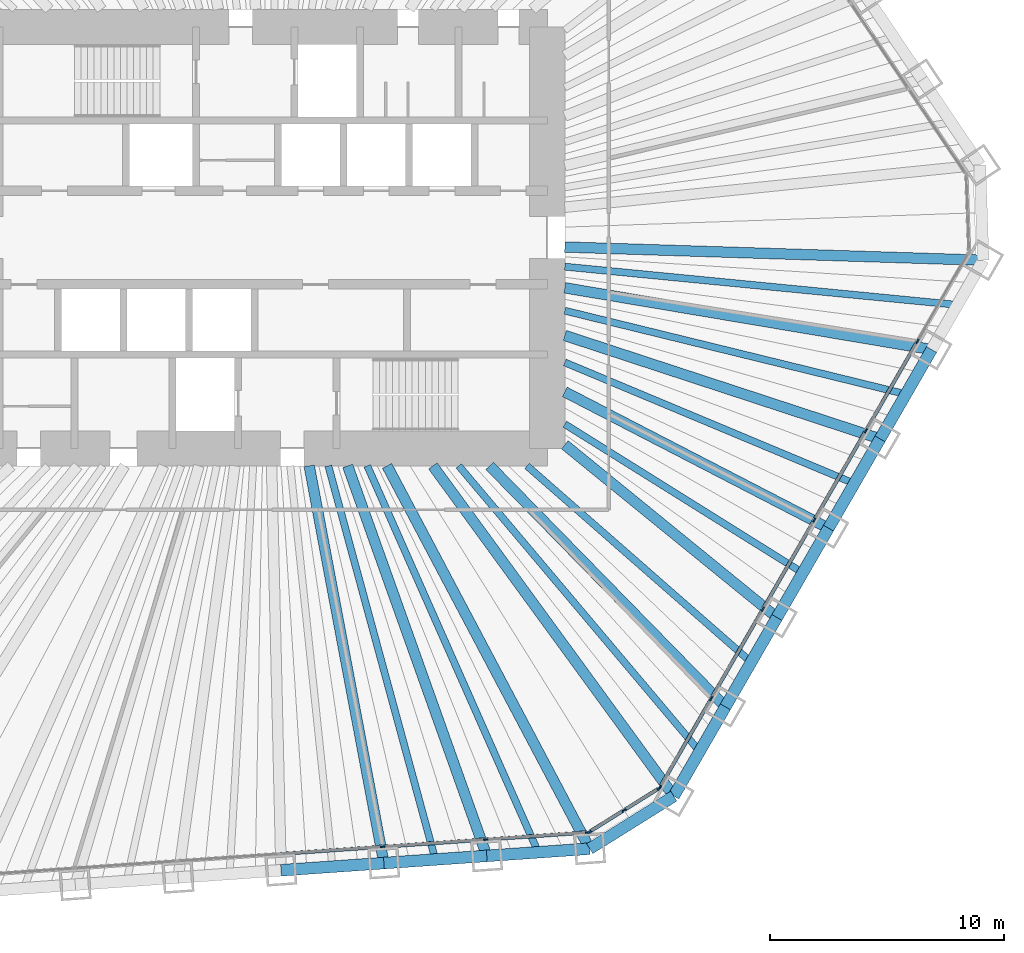
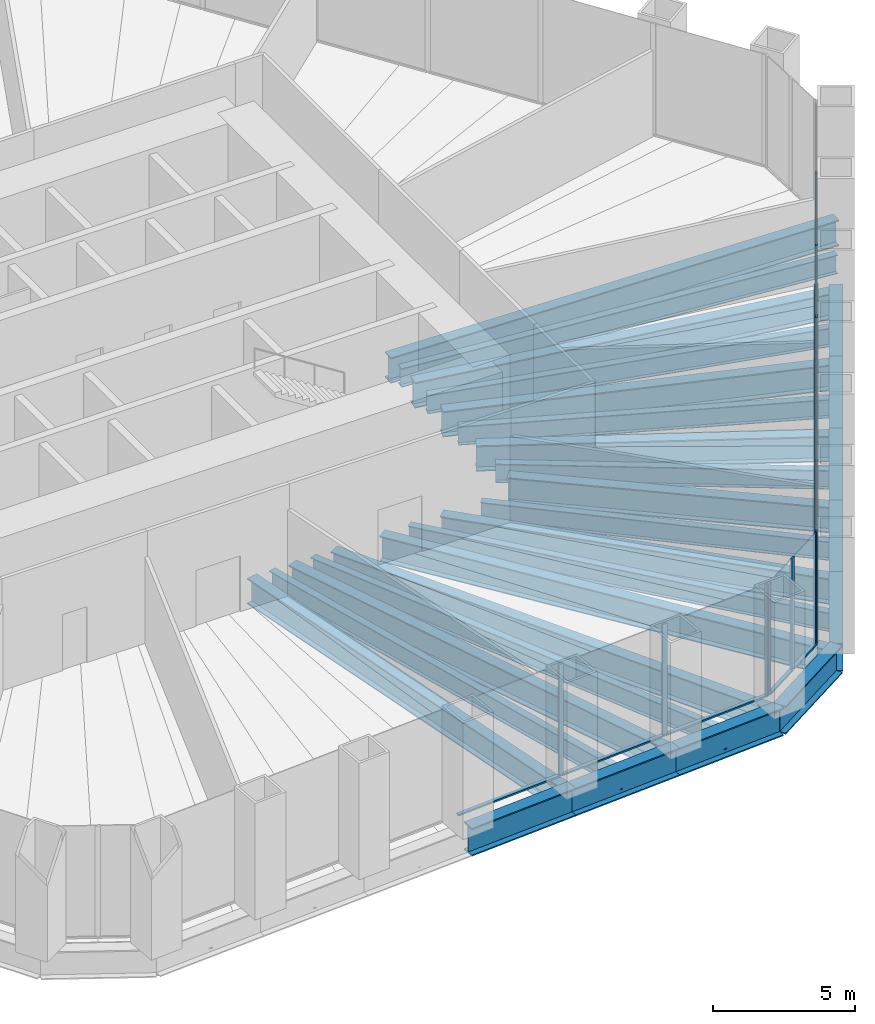
# One storey, part 4 of 13: 27 beams, 22 members, 3 elements without a shape of their own.
"""IFC4 building model written with IfcOpenShell, lengths in metres."""

from ifc_helpers import new_model, si_unit, direction, frame, origin, origin_2d, place, context, subcontext, project, spatial, rectangle, i_section, extrude, material, material_profile, profile_set, type_object, element, aggregate, save


model = new_model("IFC4")

# Units and contexts
model_context = context("Model", 3, precision=1e-05, world=origin(), true_north=direction((0.0, 1.0)))
body_context = subcontext(model_context, "Body", "Model", "MODEL_VIEW")
ifc_project = project(units=[si_unit("LENGTHUNIT", "METRE"), si_unit("AREAUNIT", "SQUARE_METRE"), si_unit("VOLUMEUNIT", "CUBIC_METRE"), si_unit("PLANEANGLEUNIT", "RADIAN"), si_unit("MASSUNIT", "GRAM", prefix="KILO")], contexts=[model_context])

# Site, building, storey
site_placement = place(None, origin())
site = spatial("IfcSite", under=ifc_project, at=site_placement, CompositionType="ELEMENT")
building_placement = place(site_placement, origin())
building = spatial("IfcBuilding", under=site, at=building_placement, Name="Qingtian Harvest Tower", CompositionType="ELEMENT")
storey_placement = place(building_placement, frame((0.0, 0.0, 77.0)))
storey = spatial("IfcBuildingStorey", under=building, at=storey_placement, Name="L15", CompositionType="ELEMENT", Elevation=77.0)

# Beams
ifc_material_1 = material(Name="Steel SM570MC", Category="steel")
ifc_material_profile_1 = material_profile(ifc_material_1, i_section(OverallWidth=0.449951171875, OverallDepth=1.10009765625, WebThickness=0.02197265625, FlangeThickness=0.044921875, at=origin_2d()), Name="H1100x450x22x45")
ifc_profile_set_1 = profile_set([ifc_material_profile_1], Name="Steel SM570MC")
beam_type_1 = type_object("IfcBeamType", Name="Corner floor beam FB8 H1100x450x22x45", PredefinedType="BEAM", material=ifc_profile_set_1)
beam_1_placement = place(storey_placement, frame((30.618408203125, -0.96728515625, -0.75), z_axis=(-0.999501426546, 0.031573696842, 0.0), x_axis=(-0.031573696842, -0.999501426546, 0.0)))
element("IfcBeam", 1, at=beam_1_placement, inside=storey, type_object=beam_type_1, Name="Floor beam FB8 SE0", PredefinedType="BEAM", context=body_context, shape_type="SweptSolid", body=[
    extrude(i_section(OverallWidth=0.449951171875, OverallDepth=1.10009765625, WebThickness=0.02197265625, FlangeThickness=0.044921875, at=origin_2d()), origin(), (0.0, 0.0, 1.0), 17.87744140625),
])
beam_2_placement = place(storey_placement, frame((17.404541015625, -23.854248046875, -0.75), z_axis=(-0.58941234871, 0.807832336062, 0.0), x_axis=(-0.807832336062, -0.58941234871, 0.0)))
element("IfcBeam", 2, at=beam_2_placement, inside=storey, type_object=beam_type_1, Name="Floor beam FB8 SE6", PredefinedType="BEAM", context=body_context, shape_type="SweptSolid", body=[
    extrude(i_section(OverallWidth=0.449951171875, OverallDepth=1.10009765625, WebThickness=0.02197265625, FlangeThickness=0.044921875, at=origin_2d()), origin(), (0.0, 0.0, 1.0), 17.45947265625),
])
beam_3_placement = place(storey_placement, frame((13.810546875, -26.10009765625, -0.75), z_axis=(-0.467705182679, 0.883884529843, 0.0), x_axis=(-0.883884529843, -0.467705182679, 0.0)))
element("IfcBeam", 3, at=beam_3_placement, inside=storey, type_object=beam_type_1, Name="Floor beam FB8 S0", PredefinedType="BEAM", context=body_context, shape_type="SweptSolid", body=[
    extrude(i_section(OverallWidth=0.449951171875, OverallDepth=1.10009765625, WebThickness=0.02197265625, FlangeThickness=0.044921875, at=origin_2d()), origin(), (0.0, 0.0, 1.0), 18.498046875),
])
ifc_material_2 = material(Name="Steel SM570MC", Category="steel")
ifc_material_profile_2 = material_profile(ifc_material_2, i_section(OverallWidth=0.449951171875, OverallDepth=1.10009765625, WebThickness=0.02197265625, FlangeThickness=0.044921875, at=origin_2d()), Name="H1100x450x22x45")
ifc_profile_set_2 = profile_set([ifc_material_profile_2], Name="Steel SM570MC")
beam_type_2 = type_object("IfcBeamType", Name="Floor beam FB1 H1100x450x22x45", PredefinedType="BEAM", material=ifc_profile_set_2)
beam_4_placement = place(storey_placement, frame((28.416015625, -4.78173828125, -0.75), z_axis=(-0.986135195489, 0.16594389479, 0.0), x_axis=(-0.16594389479, -0.986135195489, 0.0)))
element("IfcBeam", 4, at=beam_4_placement, inside=storey, type_object=beam_type_2, Name="Floor beam FB1 SE1", PredefinedType="BEAM", context=body_context, shape_type="SweptSolid", body=[
    extrude(i_section(OverallWidth=0.449951171875, OverallDepth=1.10009765625, WebThickness=0.02197265625, FlangeThickness=0.044921875, at=origin_2d()), origin(), (0.0, 0.0, 1.0), 15.88623046875),
])
beam_5_placement = place(storey_placement, frame((26.2138671875, -8.596435546875, -0.75), z_axis=(-0.950210724421, 0.311608053803, 0.0), x_axis=(-0.311608053803, -0.950210724421, 0.0)))
element("IfcBeam", 5, at=beam_5_placement, inside=storey, type_object=beam_type_2, Name="Floor beam FB1 SE2", PredefinedType="BEAM", context=body_context, shape_type="SweptSolid", body=[
    extrude(i_section(OverallWidth=0.449951171875, OverallDepth=1.10009765625, WebThickness=0.02197265625, FlangeThickness=0.044921875, at=origin_2d()), origin(), (0.0, 0.0, 1.0), 14.16943359375),
])
beam_6_placement = place(storey_placement, frame((24.011474609375, -12.410888671875, -0.75), z_axis=(-0.888349581519, 0.45916774823, 0.0), x_axis=(-0.45916774823, -0.888349581519, 0.0)))
element("IfcBeam", 6, at=beam_6_placement, inside=storey, type_object=beam_type_2, Name="Floor beam FB1 SE3", PredefinedType="BEAM", context=body_context, shape_type="SweptSolid", body=[
    extrude(i_section(OverallWidth=0.449951171875, OverallDepth=1.10009765625, WebThickness=0.02197265625, FlangeThickness=0.044921875, at=origin_2d()), origin(), (0.0, 0.0, 1.0), 12.6767578125),
])
beam_7_placement = place(storey_placement, frame((21.809326171875, -16.225341796875, -0.75), z_axis=(-0.775504415669, 0.631342142802, 0.0), x_axis=(-0.631342142802, -0.775504415669, 0.0)))
element("IfcBeam", 7, at=beam_7_placement, inside=storey, type_object=beam_type_2, Name="Floor beam FB1 SE4", PredefinedType="BEAM", context=body_context, shape_type="SweptSolid", body=[
    extrude(i_section(OverallWidth=0.449951171875, OverallDepth=1.10009765625, WebThickness=0.02197265625, FlangeThickness=0.044921875, at=origin_2d()), origin(), (0.0, 0.0, 1.0), 11.681884765625),
])
beam_8_placement = place(storey_placement, frame((19.60693359375, -20.039794921875, -0.75), z_axis=(-0.699348221539, 0.714781130858, 0.0), x_axis=(-0.714781130858, -0.699348221539, 0.0)))
element("IfcBeam", 8, at=beam_8_placement, inside=storey, type_object=beam_type_2, Name="Floor beam FB1 SE5", PredefinedType="BEAM", context=body_context, shape_type="SweptSolid", body=[
    extrude(i_section(OverallWidth=0.449951171875, OverallDepth=1.10009765625, WebThickness=0.02197265625, FlangeThickness=0.044921875, at=origin_2d()), origin(), (0.0, 0.0, 1.0), 14.395751953125),
])
beam_9_placement = place(storey_placement, frame((9.41650390625, -26.407470703125, -0.75), z_axis=(-0.33586498155, 0.941910141239, 0.0), x_axis=(-0.941910141239, -0.33586498155, 0.0)))
element("IfcBeam", 9, at=beam_9_placement, inside=storey, type_object=beam_type_2, Name="Floor beam FB1 S1", PredefinedType="BEAM", context=body_context, shape_type="SweptSolid", body=[
    extrude(i_section(OverallWidth=0.449951171875, OverallDepth=1.10009765625, WebThickness=0.02197265625, FlangeThickness=0.044921875, at=origin_2d()), origin(), (0.0, 0.0, 1.0), 17.684814453125),
])
beam_10_placement = place(storey_placement, frame((5.022705078125, -26.714599609375, -0.75), z_axis=(-0.184782942099, 0.98277935688, 0.0), x_axis=(-0.98277935688, -0.184782942099, 0.0)))
element("IfcBeam", 10, at=beam_10_placement, inside=storey, type_object=beam_type_2, Name="Floor beam FB1 S2", PredefinedType="BEAM", context=body_context, shape_type="SweptSolid", body=[
    extrude(i_section(OverallWidth=0.449951171875, OverallDepth=1.10009765625, WebThickness=0.02197265625, FlangeThickness=0.044921875, at=origin_2d()), origin(), (0.0, 0.0, 1.0), 17.261962890625),
])
ifc_material_3 = material(Name="Steel SN490B", Category="steel")
ifc_material_profile_3 = material_profile(ifc_material_3, i_section(OverallWidth=0.300048828125, OverallDepth=0.800048828125, WebThickness=0.013916015625, FlangeThickness=0.02587890625, at=origin_2d()), Name="H800x300x14x26")
ifc_profile_set_3 = profile_set([ifc_material_profile_3], Name="Steel SN490B")
beam_type_3 = type_object("IfcBeamType", Name="Floor joist J1 H800x300x14x26", PredefinedType="JOIST", material=ifc_profile_set_3)
beam_11_placement = place(storey_placement, frame((29.517333984375, -2.87451171875, -0.60009765625), z_axis=(-0.995291970786, 0.096922097011, 0.0), x_axis=(-0.096922097011, -0.995291970786, 0.0)))
element("IfcBeam", 11, at=beam_11_placement, inside=storey, type_object=beam_type_3, Name="Floor joist J1 SE0", PredefinedType="JOIST", context=body_context, shape_type="SweptSolid", body=[
    extrude(i_section(OverallWidth=0.300048828125, OverallDepth=0.800048828125, WebThickness=0.013916015625, FlangeThickness=0.02587890625, at=origin_2d()), origin(), (0.0, 0.0, 1.0), 16.8466796875),
])
beam_12_placement = place(storey_placement, frame((27.31494140625, -6.68896484375, -0.60009765625), z_axis=(-0.971301533706, 0.237851488583, 0.0), x_axis=(-0.237851488583, -0.971301533706, 0.0)))
element("IfcBeam", 12, at=beam_12_placement, inside=storey, type_object=beam_type_3, Name="Floor joist J1 SE1", PredefinedType="JOIST", context=body_context, shape_type="SweptSolid", body=[
    extrude(i_section(OverallWidth=0.300048828125, OverallDepth=0.800048828125, WebThickness=0.013916015625, FlangeThickness=0.02587890625, at=origin_2d()), origin(), (0.0, 0.0, 1.0), 14.995361328125),
])
beam_13_placement = place(storey_placement, frame((25.112548828125, -10.503662109375, -0.60009765625), z_axis=(-0.922550516103, 0.385876334125, 0.0), x_axis=(-0.385876334125, -0.922550516103, 0.0)))
element("IfcBeam", 13, at=beam_13_placement, inside=storey, type_object=beam_type_3, Name="Floor joist J1 SE2", PredefinedType="JOIST", context=body_context, shape_type="SweptSolid", body=[
    extrude(i_section(OverallWidth=0.300048828125, OverallDepth=0.800048828125, WebThickness=0.013916015625, FlangeThickness=0.02587890625, at=origin_2d()), origin(), (0.0, 0.0, 1.0), 13.400390625),
])
beam_14_placement = place(storey_placement, frame((22.910400390625, -14.318115234375, -0.60009765625), z_axis=(-0.848013185461, 0.52997512893, 0.0), x_axis=(-0.52997512893, -0.848013185461, 0.0)))
element("IfcBeam", 14, at=beam_14_placement, inside=storey, type_object=beam_type_3, Name="Floor joist J1 SE3", PredefinedType="JOIST", context=body_context, shape_type="SweptSolid", body=[
    extrude(i_section(OverallWidth=0.300048828125, OverallDepth=0.800048828125, WebThickness=0.013916015625, FlangeThickness=0.02587890625, at=origin_2d()), origin(), (0.0, 0.0, 1.0), 11.9814453125),
])
beam_15_placement = place(storey_placement, frame((20.7080078125, -18.132568359375, -0.60009765625), z_axis=(-0.75234369212, 0.658770801514, 0.0), x_axis=(-0.658770801514, -0.75234369212, 0.0)))
element("IfcBeam", 15, at=beam_15_placement, inside=storey, type_object=beam_type_3, Name="Floor joist J1 SE4", PredefinedType="JOIST", context=body_context, shape_type="SweptSolid", body=[
    extrude(i_section(OverallWidth=0.300048828125, OverallDepth=0.800048828125, WebThickness=0.013916015625, FlangeThickness=0.02587890625, at=origin_2d()), origin(), (0.0, 0.0, 1.0), 12.724609375),
])
beam_16_placement = place(storey_placement, frame((18.505859375, -21.947021484375, -0.60009765625), z_axis=(-0.644630398038, 0.76449437534, 0.0), x_axis=(-0.76449437534, -0.644630398038, 0.0)))
element("IfcBeam", 16, at=beam_16_placement, inside=storey, type_object=beam_type_3, Name="Floor joist J1 SE5", PredefinedType="JOIST", context=body_context, shape_type="SweptSolid", body=[
    extrude(i_section(OverallWidth=0.300048828125, OverallDepth=0.800048828125, WebThickness=0.013916015625, FlangeThickness=0.02587890625, at=origin_2d()), origin(), (0.0, 0.0, 1.0), 15.954345703125),
])
beam_17_placement = place(storey_placement, frame((11.613525390625, -26.25390625, -0.60009765625), z_axis=(-0.404539958959, 0.914520323233, 0.0), x_axis=(-0.914520323233, -0.404539958959, 0.0)))
element("IfcBeam", 17, at=beam_17_placement, inside=storey, type_object=beam_type_3, Name="Floor joist J1 S0", PredefinedType="JOIST", context=body_context, shape_type="SweptSolid", body=[
    extrude(i_section(OverallWidth=0.300048828125, OverallDepth=0.800048828125, WebThickness=0.013916015625, FlangeThickness=0.02587890625, at=origin_2d()), origin(), (0.0, 0.0, 1.0), 18.046630859375),
])
beam_18_placement = place(storey_placement, frame((7.2197265625, -26.56103515625, -0.60009765625), z_axis=(-0.262302659247, 0.964985655309, 0.0), x_axis=(-0.964985655309, -0.262302659247, 0.0)))
element("IfcBeam", 18, at=beam_18_placement, inside=storey, type_object=beam_type_3, Name="Floor joist J1 S1", PredefinedType="JOIST", context=body_context, shape_type="SweptSolid", body=[
    extrude(i_section(OverallWidth=0.300048828125, OverallDepth=0.800048828125, WebThickness=0.013916015625, FlangeThickness=0.02587890625, at=origin_2d()), origin(), (0.0, 0.0, 1.0), 17.421142578125),
])

# Curtain wall, members
ifc_material_4 = material(Name="Bronze-anodised aluminium curtain wall", Category="aluminium")
curtain_wall_type = type_object("IfcCurtainWallType", Name="Curtain wall CW2 farm reception", PredefinedType="USERDEFINED", material=ifc_material_4)
curtain_wall_1_placement = place(storey_placement, origin())
curtain_wall_1 = element("IfcCurtainWall", 19, at=curtain_wall_1_placement, inside=storey, type_object=curtain_wall_type, Name="Curtain wall CW2 L15 SE0-5", ObjectType="RECESSED CURTAIN WALL", PredefinedType="USERDEFINED")
ifc_material_5 = material(Name="Bronze-anodised aluminium mullion", Category="aluminium")
ifc_material_profile_4 = material_profile(ifc_material_5, rectangle(XDim=0.06494140625, YDim=0.199951171875, at=origin_2d()), Name="AL 65x200")
ifc_profile_set_4 = profile_set([ifc_material_profile_4], Name="Bronze-anodised aluminium mullion")
member_type_1 = type_object("IfcMemberType", Name="Mullion CWM 65x200", PredefinedType="MULLION", material=ifc_profile_set_4)
member_1_placement = place(storey_placement, frame((27.809814453125, -4.431884765625, 0.0), z_axis=(0.0, 0.0, 1.0), x_axis=(0.866025403784, -0.5, 0.0)))
member_1 = element("IfcMember", 20, at=member_1_placement, type_object=member_type_1, Name="CW2 mullion 2", PredefinedType="MULLION", context=body_context, shape_type="SweptSolid", body=[
    extrude(rectangle(XDim=0.06494140625, YDim=0.199951171875, at=origin_2d()), origin(), (0.0, 0.0, 1.0), 4.800048828125),
])
member_2_placement = place(storey_placement, frame((25.607666015625, -8.246337890625, 0.0), z_axis=(0.0, 0.0, 1.0), x_axis=(0.866025403784, -0.5, 0.0)))
member_2 = element("IfcMember", 21, at=member_2_placement, type_object=member_type_1, Name="CW2 mullion 3", PredefinedType="MULLION", context=body_context, shape_type="SweptSolid", body=[
    extrude(rectangle(XDim=0.06494140625, YDim=0.199951171875, at=origin_2d()), origin(), (0.0, 0.0, 1.0), 4.800048828125),
])
member_3_placement = place(storey_placement, frame((23.4052734375, -12.060791015625, 0.0), z_axis=(0.0, 0.0, 1.0), x_axis=(0.866025403784, -0.5, 0.0)))
member_3 = element("IfcMember", 22, at=member_3_placement, type_object=member_type_1, Name="CW2 mullion 4", PredefinedType="MULLION", context=body_context, shape_type="SweptSolid", body=[
    extrude(rectangle(XDim=0.06494140625, YDim=0.199951171875, at=origin_2d()), origin(), (0.0, 0.0, 1.0), 4.800048828125),
])
member_4_placement = place(storey_placement, frame((21.202880859375, -15.875244140625, 0.0), z_axis=(0.0, 0.0, 1.0), x_axis=(0.866025403784, -0.5, 0.0)))
member_4 = element("IfcMember", 23, at=member_4_placement, type_object=member_type_1, Name="CW2 mullion 5", PredefinedType="MULLION", context=body_context, shape_type="SweptSolid", body=[
    extrude(rectangle(XDim=0.06494140625, YDim=0.199951171875, at=origin_2d()), origin(), (0.0, 0.0, 1.0), 4.800048828125),
])
member_5_placement = place(storey_placement, frame((19.000732421875, -19.68994140625, 0.0), z_axis=(0.0, 0.0, 1.0), x_axis=(0.866025403784, -0.5, 0.0)))
member_5 = element("IfcMember", 24, at=member_5_placement, type_object=member_type_1, Name="CW2 mullion 6", PredefinedType="MULLION", context=body_context, shape_type="SweptSolid", body=[
    extrude(rectangle(XDim=0.06494140625, YDim=0.199951171875, at=origin_2d()), origin(), (0.0, 0.0, 1.0), 4.800048828125),
])
member_6_placement = place(storey_placement, frame((16.814697265625, -23.47607421875, 0.0), z_axis=(0.0, 0.0, 1.0), x_axis=(0.866025403784, -0.5, 0.0)))
member_6 = element("IfcMember", 25, at=member_6_placement, type_object=member_type_1, Name="CW2 mullion 7", PredefinedType="MULLION", context=body_context, shape_type="SweptSolid", body=[
    extrude(rectangle(XDim=0.06494140625, YDim=0.199951171875, at=origin_2d()), origin(), (0.0, 0.0, 1.0), 4.800048828125),
])

curtain_wall_2_placement = place(storey_placement, origin())
curtain_wall_2 = element("IfcCurtainWall", 26, at=curtain_wall_2_placement, inside=storey, type_object=curtain_wall_type, Name="Curtain wall CW2 L15 SEC", ObjectType="RECESSED CURTAIN WALL", PredefinedType="USERDEFINED")
member_7_placement = place(storey_placement, frame((16.770751953125, -23.521484375, 0.0), z_axis=(0.0, 0.0, 1.0), x_axis=(0.529919264233, -0.848048096156, 0.0)))
member_7 = element("IfcMember", 27, at=member_7_placement, type_object=member_type_1, Name="CW2 mullion 1", PredefinedType="MULLION", context=body_context, shape_type="SweptSolid", body=[
    extrude(rectangle(XDim=0.06494140625, YDim=0.199951171875, at=origin_2d()), origin(), (0.0, 0.0, 1.0), 4.800048828125),
])
member_8_placement = place(storey_placement, frame((15.280029296875, -24.453125, 0.0), z_axis=(0.0, 0.0, 1.0), x_axis=(0.529919264233, -0.848048096156, 0.0)))
member_8 = element("IfcMember", 28, at=member_8_placement, type_object=member_type_1, Name="CW2 mullion 2", PredefinedType="MULLION", context=body_context, shape_type="SweptSolid", body=[
    extrude(rectangle(XDim=0.06494140625, YDim=0.199951171875, at=origin_2d()), origin(), (0.0, 0.0, 1.0), 4.800048828125),
])
member_9_placement = place(storey_placement, frame((13.789306640625, -25.384765625, 0.0), z_axis=(0.0, 0.0, 1.0), x_axis=(0.529919264233, -0.848048096156, 0.0)))
member_9 = element("IfcMember", 29, at=member_9_placement, type_object=member_type_1, Name="CW2 mullion 3", PredefinedType="MULLION", context=body_context, shape_type="SweptSolid", body=[
    extrude(rectangle(XDim=0.06494140625, YDim=0.199951171875, at=origin_2d()), origin(), (0.0, 0.0, 1.0), 4.800048828125),
])

curtain_wall_3_placement = place(storey_placement, origin())
curtain_wall_3 = element("IfcCurtainWall", 30, at=curtain_wall_3_placement, inside=storey, type_object=curtain_wall_type, Name="Curtain wall CW2 L15 S0-5", ObjectType="RECESSED CURTAIN WALL", PredefinedType="USERDEFINED")
member_10_placement = place(storey_placement, frame((13.729248046875, -25.404296875, 0.0), z_axis=(0.0, 0.0, 1.0), x_axis=(0.069756473744, -0.99756405026, 0.0)))
member_10 = element("IfcMember", 31, at=member_10_placement, type_object=member_type_1, Name="CW2 mullion 1", PredefinedType="MULLION", context=body_context, shape_type="SweptSolid", body=[
    extrude(rectangle(XDim=0.06494140625, YDim=0.199951171875, at=origin_2d()), origin(), (0.0, 0.0, 1.0), 4.800048828125),
])
member_11_placement = place(storey_placement, frame((9.36767578125, -25.709228515625, 0.0), z_axis=(0.0, 0.0, 1.0), x_axis=(0.069756473744, -0.99756405026, 0.0)))
member_11 = element("IfcMember", 32, at=member_11_placement, type_object=member_type_1, Name="CW2 mullion 2", PredefinedType="MULLION", context=body_context, shape_type="SweptSolid", body=[
    extrude(rectangle(XDim=0.06494140625, YDim=0.199951171875, at=origin_2d()), origin(), (0.0, 0.0, 1.0), 4.800048828125),
])
member_12_placement = place(storey_placement, frame((4.973876953125, -26.016357421875, 0.0), z_axis=(0.0, 0.0, 1.0), x_axis=(0.069756473744, -0.99756405026, 0.0)))
member_12 = element("IfcMember", 33, at=member_12_placement, type_object=member_type_1, Name="CW2 mullion 3", PredefinedType="MULLION", context=body_context, shape_type="SweptSolid", body=[
    extrude(rectangle(XDim=0.06494140625, YDim=0.199951171875, at=origin_2d()), origin(), (0.0, 0.0, 1.0), 4.800048828125),
])

# Beams
ifc_material_6 = material(Name="Steel SM570MC", Category="steel")
ifc_material_profile_5 = material_profile(ifc_material_6, i_section(OverallWidth=0.5, OverallDepth=1.199951171875, WebThickness=0.02490234375, FlangeThickness=0.050048828125, at=origin_2d()), Name="H1200x500x25x50")
ifc_profile_set_5 = profile_set([ifc_material_profile_5], Name="Steel SM570MC")
beam_type_4 = type_object("IfcBeamType", Name="Spandrel beam SB1 H1200x500x25x50", PredefinedType="SPANDREL", material=ifc_profile_set_5)
beam_19_placement = place(storey_placement, frame((28.416015625, -4.78173828125, -0.60009765625), z_axis=(-0.499954356739, -0.86605175433, 0.0), x_axis=(0.86605175433, -0.499954356739, 0.0)))
element("IfcBeam", 34, at=beam_19_placement, inside=storey, type_object=beam_type_4, Name="Spandrel SB1 SE1", PredefinedType="SPANDREL", context=body_context, shape_type="SweptSolid", body=[
    extrude(i_section(OverallWidth=0.5, OverallDepth=1.199951171875, WebThickness=0.02490234375, FlangeThickness=0.050048828125, at=origin_2d()), origin(), (0.0, 0.0, 1.0), 4.40478515625),
])
for number, where, z_axis, x_axis, name in (
    (35, (26.2138671875, -8.596435546875, -0.60009765625), (-0.50001992892, -0.866013897511, 0.0), (0.866013897511, -0.50001992892, 0.0), "Spandrel SB1 SE2"),
    (36, (24.011474609375, -12.410888671875, -0.60009765625), (-0.499978356969, -0.866037899034, 0.0), (0.866037899034, -0.499978356969, 0.0), "Spandrel SB1 SE3"),
    (37, (21.809326171875, -16.225341796875, -0.60009765625), (-0.50001992892, -0.866013897511, 0.0), (0.866013897511, -0.50001992892, 0.0), "Spandrel SB1 SE4"),
    (38, (19.60693359375, -20.039794921875, -0.60009765625), (-0.50001992892, -0.866013897511, 0.0), (0.866013897511, -0.50001992892, 0.0), "Spandrel SB1 SE5"),
):
    element("IfcBeam", number, at=place(storey_placement, frame(where, z_axis=z_axis, x_axis=x_axis)), inside=storey, type_object=beam_type_4, Name=name, PredefinedType="SPANDREL", context=body_context, shape_type="SweptSolid", body=[
        extrude(i_section(OverallWidth=0.5, OverallDepth=1.199951171875, WebThickness=0.02490234375, FlangeThickness=0.050048828125, at=origin_2d()), origin(), (0.0, 0.0, 1.0), 4.404541015625),
    ])
beam_20_placement = place(storey_placement, frame((17.404541015625, -23.854248046875, -0.60009765625), z_axis=(-0.848040374245, -0.529931621675, 0.0), x_axis=(0.529931621675, -0.848040374245, 0.0)))
element("IfcBeam", 39, at=beam_20_placement, inside=storey, type_object=beam_type_4, Name="Spandrel SB1 SEC", PredefinedType="SPANDREL", context=body_context, shape_type="SweptSolid", body=[
    extrude(i_section(OverallWidth=0.5, OverallDepth=1.199951171875, WebThickness=0.02490234375, FlangeThickness=0.050048828125, at=origin_2d()), origin(), (0.0, 0.0, 1.0), 4.238037109375),
])
beam_21_placement = place(storey_placement, frame((13.810546875, -26.10009765625, -0.60009765625), z_axis=(-0.997562286406, -0.069781693443, 0.0), x_axis=(0.069781693443, -0.997562286406, 0.0)))
element("IfcBeam", 40, at=beam_21_placement, inside=storey, type_object=beam_type_4, Name="Spandrel SB1 S0", PredefinedType="SPANDREL", context=body_context, shape_type="SweptSolid", body=[
    extrude(i_section(OverallWidth=0.5, OverallDepth=1.199951171875, WebThickness=0.02490234375, FlangeThickness=0.050048828125, at=origin_2d()), origin(), (0.0, 0.0, 1.0), 4.40478515625),
])
for number, where, z_axis, x_axis, name in (
    (41, (9.41650390625, -26.407470703125, -0.60009765625), (-0.997565873714, -0.069730392239, 0.0), (0.069730392239, -0.997565873714, 0.0), "Spandrel SB1 S1"),
    (42, (5.022705078125, -26.714599609375, -0.60009765625), (-0.997562016486, -0.069785551967, 0.0), (0.069785551967, -0.997562016486, 0.0), "Spandrel SB1 S2"),
):
    element("IfcBeam", number, at=place(storey_placement, frame(where, z_axis=z_axis, x_axis=x_axis)), inside=storey, type_object=beam_type_4, Name=name, PredefinedType="SPANDREL", context=body_context, shape_type="SweptSolid", body=[
        extrude(i_section(OverallWidth=0.5, OverallDepth=1.199951171875, WebThickness=0.02490234375, FlangeThickness=0.050048828125, at=origin_2d()), origin(), (0.0, 0.0, 1.0), 4.404541015625),
    ])

# Member
ifc_material_7 = material(Name="Bronze-anodised aluminium transom", Category="aluminium")
ifc_material_profile_6 = material_profile(ifc_material_7, rectangle(XDim=0.14990234375, YDim=0.06494140625, at=origin_2d()), Name="AL 65x150")
ifc_profile_set_6 = profile_set([ifc_material_profile_6], Name="Bronze-anodised aluminium transom")
member_type_2 = type_object("IfcMemberType", Name="Transom CWT 65x150", PredefinedType="USERDEFINED", material=ifc_profile_set_6)
member_13_placement = place(storey_placement, frame((27.793701171875, -4.4599609375, 0.032470703125), z_axis=(-0.500011390128, -0.866018827591, 0.0), x_axis=(0.866018827591, -0.500011390128, 0.0)))
member_13 = element("IfcMember", 43, at=member_13_placement, type_object=member_type_2, Name="CW2 transom 2.1", ObjectType="TRANSOM", PredefinedType="USERDEFINED", context=body_context, shape_type="SweptSolid", body=[
    extrude(rectangle(XDim=0.14990234375, YDim=0.06494140625, at=origin_2d()), origin(), (0.0, 0.0, 1.0), 4.33984375),
])

member_14_placement = place(storey_placement, frame((25.59130859375, -8.2744140625, 0.032470703125), z_axis=(-0.499969196308, -0.866043187574, 0.0), x_axis=(0.866043187574, -0.499969196308, 0.0)))
member_14 = element("IfcMember", 44, at=member_14_placement, type_object=member_type_2, Name="CW2 transom 3.1", ObjectType="TRANSOM", PredefinedType="USERDEFINED", context=body_context, shape_type="SweptSolid", body=[
    extrude(rectangle(XDim=0.14990234375, YDim=0.06494140625, at=origin_2d()), origin(), (0.0, 0.0, 1.0), 4.339599609375),
])

member_15_placement = place(storey_placement, frame((23.38916015625, -12.0888671875, 0.032470703125), z_axis=(-0.500011390128, -0.866018827591, 0.0), x_axis=(0.866018827591, -0.500011390128, 0.0)))
member_15 = element("IfcMember", 45, at=member_15_placement, type_object=member_type_2, Name="CW2 transom 4.1", ObjectType="TRANSOM", PredefinedType="USERDEFINED", context=body_context, shape_type="SweptSolid", body=[
    extrude(rectangle(XDim=0.14990234375, YDim=0.06494140625, at=origin_2d()), origin(), (0.0, 0.0, 1.0), 4.33984375),
])

member_16_placement = place(storey_placement, frame((21.186767578125, -15.903564453125, 0.032470703125), z_axis=(-0.500035751442, -0.866004761696, 0.0), x_axis=(0.866004761696, -0.500035751442, 0.0)))
member_16 = element("IfcMember", 46, at=member_16_placement, type_object=member_type_2, Name="CW2 transom 5.1", ObjectType="TRANSOM", PredefinedType="USERDEFINED", context=body_context, shape_type="SweptSolid", body=[
    extrude(rectangle(XDim=0.14990234375, YDim=0.06494140625, at=origin_2d()), origin(), (0.0, 0.0, 1.0), 4.339599609375),
])

member_17_placement = place(storey_placement, frame((18.984375, -19.718017578125, 0.032470703125), z_axis=(-0.500010313095, -0.866019449435, 0.0), x_axis=(0.866019449435, -0.500010313095, 0.0)))
member_17 = element("IfcMember", 47, at=member_17_placement, type_object=member_type_2, Name="CW2 transom 6.1", ObjectType="TRANSOM", PredefinedType="USERDEFINED", context=body_context, shape_type="SweptSolid", body=[
    extrude(rectangle(XDim=0.14990234375, YDim=0.06494140625, at=origin_2d()), origin(), (0.0, 0.0, 1.0), 4.30712890625),
])

aggregate(curtain_wall_1, [member_1, member_2, member_3, member_4, member_5, member_6, member_13, member_14, member_15, member_16, member_17])

member_18_placement = place(storey_placement, frame((16.7431640625, -23.538818359375, 0.032470703125), z_axis=(-0.848063119425, -0.529895221219, 0.0), x_axis=(0.529895221219, -0.848063119425, 0.0)))
member_18 = element("IfcMember", 48, at=member_18_placement, type_object=member_type_2, Name="CW2 transom 1.1", ObjectType="TRANSOM", PredefinedType="USERDEFINED", context=body_context, shape_type="SweptSolid", body=[
    extrude(rectangle(XDim=0.14990234375, YDim=0.06494140625, at=origin_2d()), origin(), (0.0, 0.0, 1.0), 1.692626953125),
])

member_19_placement = place(storey_placement, frame((15.25244140625, -24.470458984375, 0.032470703125), z_axis=(-0.848103609743, -0.529830413568, 0.0), x_axis=(0.529830413568, -0.848103609743, 0.0)))
member_19 = element("IfcMember", 49, at=member_19_placement, type_object=member_type_2, Name="CW2 transom 2.1", ObjectType="TRANSOM", PredefinedType="USERDEFINED", context=body_context, shape_type="SweptSolid", body=[
    extrude(rectangle(XDim=0.14990234375, YDim=0.06494140625, at=origin_2d()), origin(), (0.0, 0.0, 1.0), 1.69287109375),
])

aggregate(curtain_wall_2, [member_7, member_8, member_9, member_18, member_19])

member_20_placement = place(storey_placement, frame((13.69677734375, -25.406494140625, 0.032470703125), z_axis=(-0.997566581753, -0.069720262262, 0.0), x_axis=(0.069720262262, -0.997566581753, 0.0)))
member_20 = element("IfcMember", 50, at=member_20_placement, type_object=member_type_2, Name="CW2 transom 1.1", ObjectType="TRANSOM", PredefinedType="USERDEFINED", context=body_context, shape_type="SweptSolid", body=[
    extrude(rectangle(XDim=0.14990234375, YDim=0.06494140625, at=origin_2d()), origin(), (0.0, 0.0, 1.0), 4.30712890625),
])

member_21_placement = place(storey_placement, frame((9.33544921875, -25.71142578125, 0.032470703125), z_axis=(-0.997563824095, -0.069759707979, 0.0), x_axis=(0.069759707979, -0.997563824095, 0.0)))
member_21 = element("IfcMember", 51, at=member_21_placement, type_object=member_type_2, Name="CW2 transom 2.1", ObjectType="TRANSOM", PredefinedType="USERDEFINED", context=body_context, shape_type="SweptSolid", body=[
    extrude(rectangle(XDim=0.14990234375, YDim=0.06494140625, at=origin_2d()), origin(), (0.0, 0.0, 1.0), 4.339599609375),
])

member_22_placement = place(storey_placement, frame((4.94140625, -26.018798828125, 0.032470703125), z_axis=(-0.997567737508, -0.069703723594, 0.0), x_axis=(0.069703723594, -0.997567737508, 0.0)))
member_22 = element("IfcMember", 52, at=member_22_placement, type_object=member_type_2, Name="CW2 transom 3.1", ObjectType="TRANSOM", PredefinedType="USERDEFINED", context=body_context, shape_type="SweptSolid", body=[
    extrude(rectangle(XDim=0.14990234375, YDim=0.06494140625, at=origin_2d()), origin(), (0.0, 0.0, 1.0), 4.339599609375),
])

aggregate(curtain_wall_3, [member_10, member_11, member_12, member_20, member_21, member_22])

save(model, "model.ifc")
